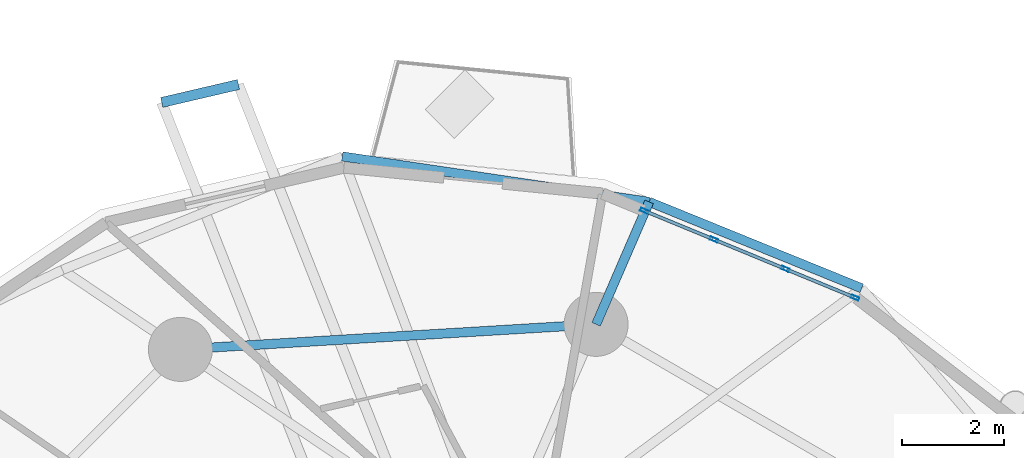
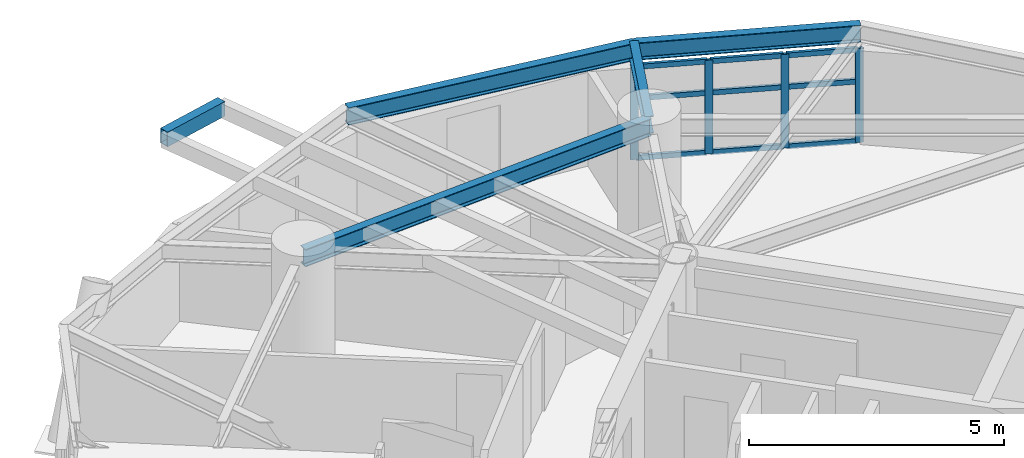
# One storey, part 7 of 19: 13 members, 5 beams, 1 element without a shape of its own.
"""IFC4 building model written with IfcOpenShell, lengths in metres."""

from ifc_helpers import new_model, si_unit, direction, frame, origin, origin_2d, place, context, subcontext, project, spatial, hollow_rectangle, i_section, extrude, material, layer, layer_set, material_profile, profile_set, type_object, element, aggregate, save


model = new_model("IFC4")

# Units and contexts
model_context = context("Model", 3, precision=1e-05, world=origin(), true_north=direction((0.0, 1.0)))
body_context = subcontext(model_context, "Body", "Model", "MODEL_VIEW")
ifc_project = project(units=[si_unit("LENGTHUNIT", "METRE"), si_unit("AREAUNIT", "SQUARE_METRE"), si_unit("VOLUMEUNIT", "CUBIC_METRE"), si_unit("PLANEANGLEUNIT", "RADIAN"), si_unit("MASSUNIT", "GRAM", prefix="KILO")], contexts=[model_context])

# Site, building, storey
site_placement = place(None, origin())
site = spatial("IfcSite", under=ifc_project, at=site_placement, CompositionType="ELEMENT")
building_placement = place(site_placement, origin())
building = spatial("IfcBuilding", under=site, at=building_placement, Name="Cununo Teusaquillo Station Towers", CompositionType="ELEMENT")
storey_placement = place(building_placement, frame((0.0, 0.0, 151.60009765625)))
storey = spatial("IfcBuildingStorey", under=building, at=storey_placement, Name="L47", CompositionType="ELEMENT", Elevation=151.60009765625)

# Beams
ifc_material_1 = material(Name="Steel ASTM A572 Grade 50", Category="steel")
ifc_material_profile_1 = material_profile(ifc_material_1, i_section(OverallWidth=0.180908203125, OverallDepth=0.4169921875, WebThickness=0.010986328125, FlangeThickness=0.018310546875, FilletRadius=0.012939453125, at=origin_2d()), Name="W16X57")
ifc_profile_set_1 = profile_set([ifc_material_profile_1], Name="Steel ASTM A572 Grade 50")
beam_type_1 = type_object("IfcBeamType", Name="BM-RAD-G2", PredefinedType="BEAM", material=ifc_profile_set_1)
beam_1_placement = place(storey_placement, frame((58.291015625, 37.63525390625, 2.4814453125), z_axis=(0.397431352311, 0.917631908883, 0.0), x_axis=(-0.917631908883, 0.397431352311, 0.0)))
element("IfcBeam", 1, at=beam_1_placement, inside=storey, type_object=beam_type_1, Name="L47 Tower B Perimeter Overhang Girder 02B", PredefinedType="BEAM", context=body_context, shape_type="SweptSolid", body=[
    extrude(i_section(OverallWidth=0.180908203125, OverallDepth=0.4169921875, WebThickness=0.010986328125, FlangeThickness=0.018310546875, FilletRadius=0.012939453125, at=origin_2d()), origin(), (0.0, 0.0, 1.0), 2.607177734375),
])
ifc_material_2 = material(Name="Steel ASTM A572 Grade 50", Category="steel")
ifc_material_profile_2 = material_profile(ifc_material_2, i_section(OverallWidth=0.180908203125, OverallDepth=0.4169921875, WebThickness=0.010986328125, FlangeThickness=0.018310546875, FilletRadius=0.012939453125, at=origin_2d()), Name="W16X57")
ifc_profile_set_2 = profile_set([ifc_material_profile_2], Name="Steel ASTM A572 Grade 50")
beam_type_2 = type_object("IfcBeamType", Name="BM-RING-Z3", PredefinedType="SPANDREL", material=ifc_profile_set_2)
beam_2_placement = place(storey_placement, frame((58.291015625, 37.63525390625, 2.4814453125), z_axis=(-0.998190567048, -0.06012979176, 0.0), x_axis=(0.06012979176, -0.998190567048, 0.0)))
element("IfcBeam", 2, at=beam_2_placement, inside=storey, type_object=beam_type_2, Name="L47 Tower B Structural Column Ring Girder 02", PredefinedType="SPANDREL", context=body_context, shape_type="SweptSolid", body=[
    extrude(i_section(OverallWidth=0.180908203125, OverallDepth=0.4169921875, WebThickness=0.010986328125, FlangeThickness=0.018310546875, FilletRadius=0.012939453125, at=origin_2d()), origin(), (0.0, 0.0, 1.0), 8.132568359375),
])
beam_3_placement = place(storey_placement, frame((63.478271484375, 38.340087890625, 2.4814453125), z_axis=(-0.926380466449, 0.376588942192, 0.0), x_axis=(-0.376588942192, -0.926380466449, 0.0)))
element("IfcBeam", 3, at=beam_3_placement, inside=storey, type_object=beam_type_2, Name="L47 Tower B Spandrel Ring Beam 02", PredefinedType="SPANDREL", context=body_context, shape_type="SweptSolid", body=[
    extrude(i_section(OverallWidth=0.180908203125, OverallDepth=0.4169921875, WebThickness=0.010986328125, FlangeThickness=0.018310546875, FilletRadius=0.012939453125, at=origin_2d()), origin(), (0.0, 0.0, 1.0), 4.48095703125),
])
beam_4_placement = place(storey_placement, frame((59.3271484375, 40.027587890625, 2.4814453125), z_axis=(-0.989205409176, 0.146535519435, 0.0), x_axis=(-0.146535519435, -0.989205409176, 0.0)))
element("IfcBeam", 4, at=beam_4_placement, inside=storey, type_object=beam_type_2, Name="L47 Tower B Spandrel Ring Beam 03", PredefinedType="SPANDREL", context=body_context, shape_type="SweptSolid", body=[
    extrude(i_section(OverallWidth=0.180908203125, OverallDepth=0.4169921875, WebThickness=0.010986328125, FlangeThickness=0.018310546875, FilletRadius=0.012939453125, at=origin_2d()), origin(), (0.0, 0.0, 1.0), 6.0595703125),
])
ifc_material_3 = material(Name="Steel EN 10025-2 S355J2", Category="steel")
ifc_material_profile_3 = material_profile(ifc_material_3, hollow_rectangle(XDim=0.199951171875, YDim=0.35009765625, WallThickness=0.013916015625, at=origin_2d()), Name="RHS 350x200x14")
ifc_profile_set_3 = profile_set([ifc_material_profile_3], Name="Steel EN 10025-2 S355J2")
beam_type_3 = type_object("IfcBeamType", Name="BM-STAIR-TRIM", PredefinedType="BEAM", material=ifc_profile_set_3)
beam_5_placement = place(storey_placement, frame((51.306396484375, 42.318603515625, 2.52490234375), z_axis=(-0.973831843642, -0.227269752297, 0.0), x_axis=(0.227269752297, -0.973831843642, 0.0)))
element("IfcBeam", 5, at=beam_5_placement, inside=storey, type_object=beam_type_3, Name="L47 Tower B Balcony Edge Trimmer Beam 1", PredefinedType="BEAM", context=body_context, shape_type="SweptSolid", body=[
    extrude(hollow_rectangle(XDim=0.199951171875, YDim=0.35009765625, WallThickness=0.013916015625, at=origin_2d()), origin(), (0.0, 0.0, 1.0), 1.538330078125),
])

# Curtain wall, members
ifc_material_4 = material(Name="Operable acoustic tinted low-E double glazing", Category="glass")
ifc_layer = layer(ifc_material_4, 0.179931640625)
ifc_layer_set = layer_set([ifc_layer], Name="Operable acoustic tinted low-E double glazing")
curtain_wall_type = type_object("IfcCurtainWallType", Name="CW-SYS-06", PredefinedType="USERDEFINED", material=ifc_layer_set)
curtain_wall_placement = place(storey_placement, origin())
curtain_wall = element("IfcCurtainWall", 6, at=curtain_wall_placement, inside=storey, type_object=curtain_wall_type, Name="L47 Tower B Facade Curtain Wall C01", ObjectType="OPERABLE GLAZING", PredefinedType="USERDEFINED")
ifc_material_5 = material(Name="Anodised dark bronze aluminium EN AW-6063-T6", Category="aluminium")
ifc_material_profile_4 = material_profile(ifc_material_5, hollow_rectangle(XDim=0.06494140625, YDim=0.159912109375, WallThickness=0.00390625, at=origin_2d()), Name="CW-MULL-65x160")
ifc_profile_set_4 = profile_set([ifc_material_profile_4], Name="Anodised dark bronze aluminium EN AW-6063-T6")
member_type_1 = type_object("IfcMemberType", Name="CWM-160", PredefinedType="MULLION", material=ifc_profile_set_4)
member_1_placement = place(storey_placement, frame((59.233642578125, 39.852783203125, 0.0), z_axis=(0.0, 0.0, 1.0), x_axis=(0.381121790423, 0.924524840588, 0.0)))
member_1 = element("IfcMember", 7, at=member_1_placement, type_object=member_type_1, Name="CW-06 mullion 1", PredefinedType="MULLION", context=body_context, shape_type="SweptSolid", body=[
    extrude(hollow_rectangle(XDim=0.06494140625, YDim=0.159912109375, WallThickness=0.00390625, at=origin_2d()), origin(), (0.0, 0.0, 1.0), 2.244873046875),
])
member_2_placement = place(storey_placement, frame((60.59521484375, 39.29150390625, 0.0), z_axis=(0.0, 0.0, 1.0), x_axis=(0.381121790423, 0.924524840588, 0.0)))
member_2 = element("IfcMember", 8, at=member_2_placement, type_object=member_type_1, Name="CW-06 mullion 2", PredefinedType="MULLION", context=body_context, shape_type="SweptSolid", body=[
    extrude(hollow_rectangle(XDim=0.06494140625, YDim=0.159912109375, WallThickness=0.00390625, at=origin_2d()), origin(), (0.0, 0.0, 1.0), 2.244873046875),
])
member_3_placement = place(storey_placement, frame((61.98681640625, 38.7177734375, 0.0), z_axis=(0.0, 0.0, 1.0), x_axis=(0.381121790423, 0.924524840588, 0.0)))
member_3 = element("IfcMember", 9, at=member_3_placement, type_object=member_type_1, Name="CW-06 mullion 3", PredefinedType="MULLION", context=body_context, shape_type="SweptSolid", body=[
    extrude(hollow_rectangle(XDim=0.06494140625, YDim=0.159912109375, WallThickness=0.00390625, at=origin_2d()), origin(), (0.0, 0.0, 1.0), 2.244873046875),
])
member_4_placement = place(storey_placement, frame((63.348388671875, 38.156494140625, 0.0), z_axis=(0.0, 0.0, 1.0), x_axis=(0.381121790423, 0.924524840588, 0.0)))
member_4 = element("IfcMember", 10, at=member_4_placement, type_object=member_type_1, Name="CW-06 mullion 4", PredefinedType="MULLION", context=body_context, shape_type="SweptSolid", body=[
    extrude(hollow_rectangle(XDim=0.06494140625, YDim=0.159912109375, WallThickness=0.00390625, at=origin_2d()), origin(), (0.0, 0.0, 1.0), 2.244873046875),
])
ifc_material_6 = material(Name="Anodised dark bronze aluminium EN AW-6063-T6", Category="aluminium")
ifc_material_profile_5 = material_profile(ifc_material_6, hollow_rectangle(XDim=0.06494140625, YDim=0.1201171875, WallThickness=0.00390625, at=origin_2d()), Name="CW-TRAN-65x120")
ifc_profile_set_5 = profile_set([ifc_material_profile_5], Name="Anodised dark bronze aluminium EN AW-6063-T6")
member_type_2 = type_object("IfcMemberType", Name="CWT-120", PredefinedType="USERDEFINED", material=ifc_profile_set_5)
member_5_placement = place(storey_placement, frame((59.263916015625, 39.84033203125, 0.032470703125), z_axis=(0.924537934154, -0.381090026517, 0.0), x_axis=(0.381090026517, 0.924537934154, 0.0)))
member_5 = element("IfcMember", 11, at=member_5_placement, type_object=member_type_2, Name="CW-06 transom 1.1", ObjectType="TRANSOM", PredefinedType="USERDEFINED", context=body_context, shape_type="SweptSolid", body=[
    extrude(hollow_rectangle(XDim=0.06494140625, YDim=0.1201171875, WallThickness=0.00390625, at=origin_2d()), origin(), (0.0, 0.0, 1.0), 1.407470703125),
])
member_6_placement = place(storey_placement, frame((59.263916015625, 39.84033203125, 1.458984375), z_axis=(0.924537934154, -0.381090026517, 0.0), x_axis=(0.381090026517, 0.924537934154, 0.0)))
member_6 = element("IfcMember", 12, at=member_6_placement, type_object=member_type_2, Name="CW-06 transom 1.2", ObjectType="TRANSOM", PredefinedType="USERDEFINED", context=body_context, shape_type="SweptSolid", body=[
    extrude(hollow_rectangle(XDim=0.06494140625, YDim=0.1201171875, WallThickness=0.00390625, at=origin_2d()), origin(), (0.0, 0.0, 1.0), 1.407470703125),
])
member_7_placement = place(storey_placement, frame((59.263916015625, 39.84033203125, 2.21240234375), z_axis=(0.924537934154, -0.381090026517, 0.0), x_axis=(0.381090026517, 0.924537934154, 0.0)))
member_7 = element("IfcMember", 13, at=member_7_placement, type_object=member_type_2, Name="CW-06 transom 1.3", ObjectType="TRANSOM", PredefinedType="USERDEFINED", context=body_context, shape_type="SweptSolid", body=[
    extrude(hollow_rectangle(XDim=0.06494140625, YDim=0.1201171875, WallThickness=0.00390625, at=origin_2d()), origin(), (0.0, 0.0, 1.0), 1.407470703125),
])
member_8_placement = place(storey_placement, frame((60.625244140625, 39.279052734375, 0.032470703125), z_axis=(0.924544635002, -0.381073769616, 0.0), x_axis=(0.381073769616, 0.924544635002, 0.0)))
member_8 = element("IfcMember", 14, at=member_8_placement, type_object=member_type_2, Name="CW-06 transom 2.1", ObjectType="TRANSOM", PredefinedType="USERDEFINED", context=body_context, shape_type="SweptSolid", body=[
    extrude(hollow_rectangle(XDim=0.06494140625, YDim=0.1201171875, WallThickness=0.00390625, at=origin_2d()), origin(), (0.0, 0.0, 1.0), 1.440185546875),
])
member_9_placement = place(storey_placement, frame((60.625244140625, 39.279052734375, 1.458984375), z_axis=(0.924544635002, -0.381073769616, 0.0), x_axis=(0.381073769616, 0.924544635002, 0.0)))
member_9 = element("IfcMember", 15, at=member_9_placement, type_object=member_type_2, Name="CW-06 transom 2.2", ObjectType="TRANSOM", PredefinedType="USERDEFINED", context=body_context, shape_type="SweptSolid", body=[
    extrude(hollow_rectangle(XDim=0.06494140625, YDim=0.1201171875, WallThickness=0.00390625, at=origin_2d()), origin(), (0.0, 0.0, 1.0), 1.440185546875),
])
member_10_placement = place(storey_placement, frame((60.625244140625, 39.279052734375, 2.21240234375), z_axis=(0.924544635002, -0.381073769616, 0.0), x_axis=(0.381073769616, 0.924544635002, 0.0)))
member_10 = element("IfcMember", 16, at=member_10_placement, type_object=member_type_2, Name="CW-06 transom 2.3", ObjectType="TRANSOM", PredefinedType="USERDEFINED", context=body_context, shape_type="SweptSolid", body=[
    extrude(hollow_rectangle(XDim=0.06494140625, YDim=0.1201171875, WallThickness=0.00390625, at=origin_2d()), origin(), (0.0, 0.0, 1.0), 1.440185546875),
])
member_11_placement = place(storey_placement, frame((62.016845703125, 38.70556640625, 0.032470703125), z_axis=(0.924502014319, -0.381177157658, 0.0), x_axis=(0.381177157658, 0.924502014319, 0.0)))
member_11 = element("IfcMember", 17, at=member_11_placement, type_object=member_type_2, Name="CW-06 transom 3.1", ObjectType="TRANSOM", PredefinedType="USERDEFINED", context=body_context, shape_type="SweptSolid", body=[
    extrude(hollow_rectangle(XDim=0.06494140625, YDim=0.1201171875, WallThickness=0.00390625, at=origin_2d()), origin(), (0.0, 0.0, 1.0), 1.40771484375),
])
member_12_placement = place(storey_placement, frame((62.016845703125, 38.70556640625, 1.458984375), z_axis=(0.924502014319, -0.381177157658, 0.0), x_axis=(0.381177157658, 0.924502014319, 0.0)))
member_12 = element("IfcMember", 18, at=member_12_placement, type_object=member_type_2, Name="CW-06 transom 3.2", ObjectType="TRANSOM", PredefinedType="USERDEFINED", context=body_context, shape_type="SweptSolid", body=[
    extrude(hollow_rectangle(XDim=0.06494140625, YDim=0.1201171875, WallThickness=0.00390625, at=origin_2d()), origin(), (0.0, 0.0, 1.0), 1.40771484375),
])
member_13_placement = place(storey_placement, frame((62.016845703125, 38.70556640625, 2.21240234375), z_axis=(0.924502014319, -0.381177157658, 0.0), x_axis=(0.381177157658, 0.924502014319, 0.0)))
member_13 = element("IfcMember", 19, at=member_13_placement, type_object=member_type_2, Name="CW-06 transom 3.3", ObjectType="TRANSOM", PredefinedType="USERDEFINED", context=body_context, shape_type="SweptSolid", body=[
    extrude(hollow_rectangle(XDim=0.06494140625, YDim=0.1201171875, WallThickness=0.00390625, at=origin_2d()), origin(), (0.0, 0.0, 1.0), 1.40771484375),
])
aggregate(curtain_wall, [member_1, member_2, member_3, member_4, member_5, member_6, member_7, member_8, member_9, member_10, member_11, member_12, member_13])

save(model, "model.ifc")
